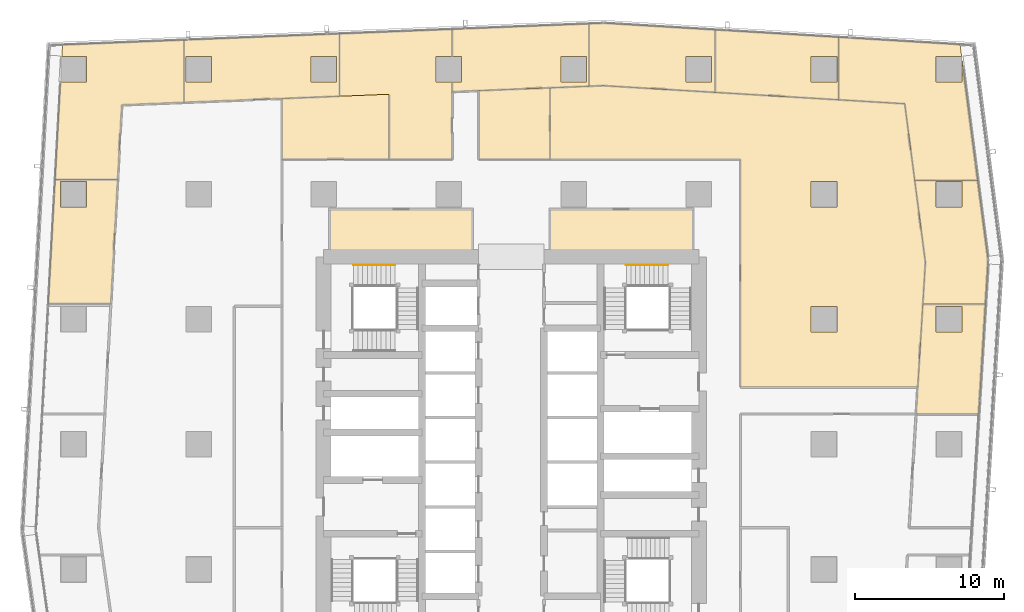
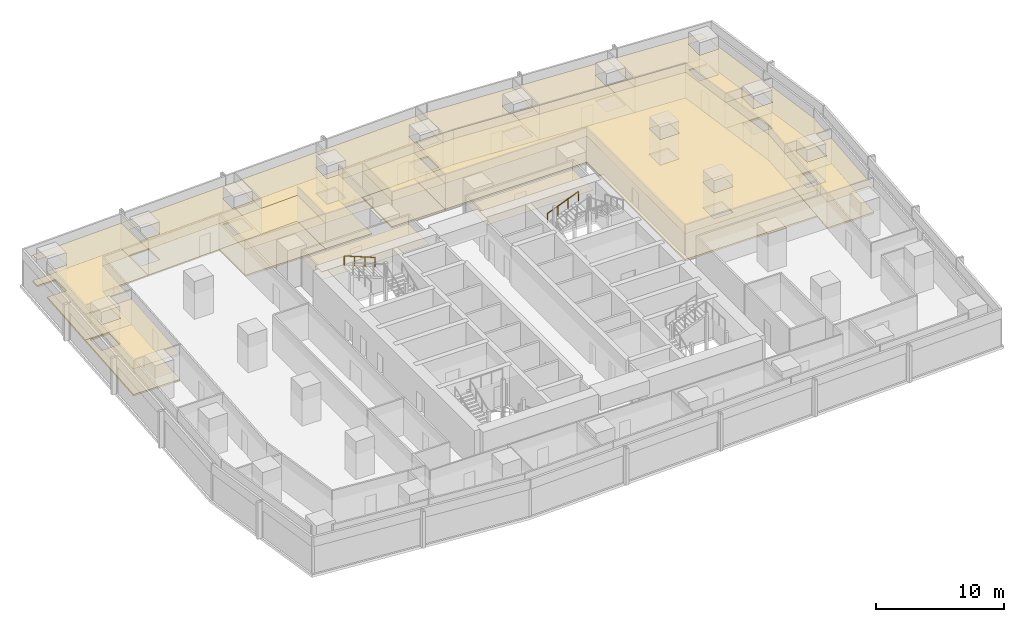
# One storey, part 40 of 40: 28 coverings, 2 railings.
"""IFC4 building model written with IfcOpenShell, lengths in metres."""

from ifc_helpers import new_model, si_unit, direction, frame, origin, origin_2d, place, context, subcontext, project, spatial, polyline, circle, outline, extrude, material, layer, layer_set, type_object, element, save


model = new_model("IFC4")

# Units and contexts
model_context = context("Model", 3, precision=1e-05, world=origin(), true_north=direction((0.0, 1.0)))
body_context = subcontext(model_context, "Body", "Model", "MODEL_VIEW")
ifc_project = project(units=[si_unit("LENGTHUNIT", "METRE"), si_unit("AREAUNIT", "SQUARE_METRE"), si_unit("VOLUMEUNIT", "CUBIC_METRE"), si_unit("PLANEANGLEUNIT", "RADIAN"), si_unit("MASSUNIT", "GRAM", prefix="KILO")], contexts=[model_context])

# Site, building, storey
site_placement = place(None, origin())
site = spatial("IfcSite", under=ifc_project, at=site_placement, CompositionType="ELEMENT")
building_placement = place(site_placement, origin())
building = spatial("IfcBuilding", under=site, at=building_placement, Name="Rekha Terrace Tower", CompositionType="ELEMENT")
storey_placement = place(building_placement, frame((0.0, 0.0, 121.550048828125)))
storey = spatial("IfcBuildingStorey", under=building, at=storey_placement, Name="L30", CompositionType="ELEMENT", Elevation=121.550048828125)

# Coverings
ifc_material_1 = material(Name="Mineral fibre tile in exposed grid", Category="finish")
ifc_layer_1 = layer(ifc_material_1, 0.02001953125)
ifc_layer_set_1 = layer_set([ifc_layer_1], Name="Mineral fibre tile in exposed grid")
covering_type_1 = type_object("IfcCoveringType", Name="CL1 600x1200 office grid ceiling", PredefinedType="CEILING", material=ifc_layer_set_1)
covering_1_placement = place(storey_placement, frame((0.0, 0.0, 2.579833984375)))
element("IfcCovering", 1, at=covering_1_placement, inside=storey, type_object=covering_type_1, Name="Ceiling L30-03", PredefinedType="CEILING", context=body_context, shape_type="SweptSolid", body=[
    extrude(outline(polyline([(69.655029296875, 43.011962890625), (65.447021484375, 43.011962890625), (65.06396484375, 36.760009765625), (64.9951171875, 35.634033203125), (69.202880859375, 35.634033203125), (69.655029296875, 43.011962890625)]), holes=[polyline([(68.06494140625, 41.135009765625), (66.3349609375, 41.135009765625), (66.3349609375, 42.864990234375), (68.06494140625, 42.864990234375), (68.06494140625, 41.135009765625)])]), origin(), (0.0, 0.0, 1.0), 0.02001953125),
])
covering_2_placement = place(storey_placement, frame((0.0, 0.0, 2.579833984375)))
element("IfcCovering", 2, at=covering_2_placement, inside=storey, type_object=covering_type_1, Name="Ceiling L30-04", PredefinedType="CEILING", context=body_context, shape_type="SweptSolid", body=[
    extrude(outline(polyline([(69.8359375, 45.971923828125), (69.136962890625, 51.337890625), (64.902099609375, 51.337890625), (65.618896484375, 45.827880859375), (65.447021484375, 43.012939453125), (69.655029296875, 43.012939453125), (69.8359375, 45.971923828125)]), holes=[polyline([(68.06494140625, 49.534912109375), (66.3349609375, 49.534912109375), (66.3349609375, 51.264892578125), (68.06494140625, 51.264892578125), (68.06494140625, 49.534912109375)])]), origin(), (0.0, 0.0, 1.0), 0.02001953125),
])
covering_3_placement = place(storey_placement, frame((0.0, 0.0, 2.579833984375)))
element("IfcCovering", 3, at=covering_3_placement, inside=storey, type_object=covering_type_1, Name="Ceiling L30-05", PredefinedType="CEILING", context=body_context, shape_type="SweptSolid", body=[
    extrude(outline(polyline([(67.948974609375, 60.462890625), (59.7880859375, 60.952880859375), (59.7880859375, 56.74609375), (64.23193359375, 56.47900390625), (64.902099609375, 51.339111328125), (69.136962890625, 51.339111328125), (68.0849609375, 59.416015625), (68.06494140625, 59.4150390625), (68.06494140625, 57.93505859375), (66.3349609375, 57.93505859375), (66.3349609375, 59.6650390625), (68.052978515625, 59.6650390625), (67.948974609375, 60.462890625)])), origin(), (0.0, 0.0, 1.0), 0.02001953125),
])
covering_4_placement = place(storey_placement, frame((0.0, 0.0, 2.579833984375)))
element("IfcCovering", 4, at=covering_4_placement, inside=storey, type_object=covering_type_1, Name="Ceiling L30-06", PredefinedType="CEILING", context=body_context, shape_type="SweptSolid", body=[
    extrude(outline(polyline([(59.787109375, 56.74609375), (59.787109375, 60.9541015625), (51.4951171875, 61.451904296875), (51.4951171875, 57.243896484375), (59.787109375, 56.74609375)]), holes=[polyline([(59.6650390625, 57.93505859375), (57.93505859375, 57.93505859375), (57.93505859375, 59.6650390625), (59.6650390625, 59.6650390625), (59.6650390625, 57.93505859375)])]), origin(), (0.0, 0.0, 1.0), 0.02001953125),
])
covering_5_placement = place(storey_placement, frame((0.0, 0.0, 2.579833984375)))
element("IfcCovering", 5, at=covering_5_placement, inside=storey, type_object=covering_type_1, Name="Ceiling L30-07", PredefinedType="CEILING", context=body_context, shape_type="SweptSolid", body=[
    extrude(outline(polyline([(44.0380859375, 61.89990234375), (43.02392578125, 61.85888671875), (43.02392578125, 57.656005859375), (43.99609375, 57.695068359375), (51.493896484375, 57.243896484375), (51.493896484375, 61.451904296875), (44.0380859375, 61.89990234375)]), holes=[polyline([(51.264892578125, 57.93505859375), (49.534912109375, 57.93505859375), (49.534912109375, 59.6650390625), (51.264892578125, 59.6650390625), (51.264892578125, 57.93505859375)])]), origin(), (0.0, 0.0, 1.0), 0.02001953125),
])
covering_6_placement = place(storey_placement, frame((0.0, 0.0, 2.579833984375)))
element("IfcCovering", 6, at=covering_6_placement, inside=storey, type_object=covering_type_1, Name="Ceiling L30-08", PredefinedType="CEILING", context=body_context, shape_type="SweptSolid", body=[
    extrude(outline(polyline([(33.827880859375, 57.93505859375), (33.827880859375, 57.287109375), (35.56689453125, 57.35693359375), (35.6259765625, 57.360107421875), (43.02294921875, 57.656005859375), (43.02294921875, 61.85888671875), (33.827880859375, 61.490966796875), (33.827880859375, 59.6650390625), (34.465087890625, 59.6650390625), (34.465087890625, 57.93505859375), (33.827880859375, 57.93505859375)]), holes=[polyline([(42.864990234375, 57.93505859375), (41.135009765625, 57.93505859375), (41.135009765625, 59.6650390625), (42.864990234375, 59.6650390625), (42.864990234375, 57.93505859375)])]), origin(), (0.0, 0.0, 1.0), 0.02001953125),
])
covering_7_placement = place(storey_placement, frame((0.0, 0.0, 2.579833984375)))
element("IfcCovering", 7, at=covering_7_placement, inside=storey, type_object=covering_type_1, Name="Ceiling L30-10", PredefinedType="CEILING", context=body_context, shape_type="SweptSolid", body=[
    extrude(outline(polyline([(26.257080078125, 56.98388671875), (26.257080078125, 61.18701171875), (15.81494140625, 60.76904296875), (15.81494140625, 56.56591796875), (26.257080078125, 56.98388671875)]), holes=[polyline([(26.06494140625, 57.93505859375), (24.3349609375, 57.93505859375), (24.3349609375, 59.6650390625), (26.06494140625, 59.6650390625), (26.06494140625, 57.93505859375)]), polyline([(17.6650390625, 57.93505859375), (15.93505859375, 57.93505859375), (15.93505859375, 59.6650390625), (17.6650390625, 59.6650390625), (17.6650390625, 57.93505859375)])]), origin(), (0.0, 0.0, 1.0), 0.02001953125),
])
covering_8_placement = place(storey_placement, frame((0.0, 0.0, 2.579833984375)))
element("IfcCovering", 8, at=covering_8_placement, inside=storey, type_object=covering_type_1, Name="Ceiling L30-11", PredefinedType="CEILING", context=body_context, shape_type="SweptSolid", body=[
    extrude(outline(polyline([(7.51611328125, 57.93505859375), (7.156005859375, 51.37890625), (11.362060546875, 51.37890625), (11.637939453125, 56.39794921875), (15.81396484375, 56.56591796875), (15.81396484375, 60.76904296875), (7.653076171875, 60.44189453125), (7.610107421875, 59.6650390625), (9.264892578125, 59.6650390625), (9.264892578125, 57.93505859375), (7.51611328125, 57.93505859375)])), origin(), (0.0, 0.0, 1.0), 0.02001953125),
])
covering_9_placement = place(storey_placement, frame((0.0, 0.0, 2.579833984375)))
element("IfcCovering", 9, at=covering_9_placement, inside=storey, type_object=covering_type_1, Name="Ceiling L30-12", PredefinedType="CEILING", context=body_context, shape_type="SweptSolid", body=[
    extrude(outline(polyline([(11.362060546875, 51.3779296875), (7.156005859375, 51.3779296875), (6.698974609375, 43.0458984375), (10.905029296875, 43.0458984375), (11.362060546875, 51.3779296875)]), holes=[polyline([(9.264892578125, 51.264892578125), (9.264892578125, 49.534912109375), (7.534912109375, 49.534912109375), (7.534912109375, 51.264892578125), (9.264892578125, 51.264892578125)])]), origin(), (0.0, 0.0, 1.0), 0.02001953125),
])
covering_10_placement = place(storey_placement, frame((0.0, 0.0, 2.579833984375)))
element("IfcCovering", 10, at=covering_10_placement, inside=storey, type_object=covering_type_1, Name="Ceiling L30-13", PredefinedType="CEILING", context=body_context, shape_type="SweptSolid", body=[
    extrude(outline(polyline([(22.39990234375, 52.75), (29.60009765625, 52.75), (29.60009765625, 57.117919921875), (25.967041015625, 56.971923828125), (22.39990234375, 56.830078125), (22.39990234375, 52.75)])), origin(), (0.0, 0.0, 1.0), 0.02001953125),
])
covering_11_placement = place(storey_placement, frame((0.0, 0.0, 2.579833984375)))
element("IfcCovering", 11, at=covering_11_placement, inside=storey, type_object=covering_type_1, Name="Ceiling L30-14", PredefinedType="CEILING", context=body_context, shape_type="SweptSolid", body=[
    extrude(outline(polyline([(29.60009765625, 52.75), (33.825927734375, 52.75), (33.825927734375, 57.287109375), (33.826904296875, 57.287109375), (33.826904296875, 57.93505859375), (32.735107421875, 57.93505859375), (32.735107421875, 59.6650390625), (33.826904296875, 59.6650390625), (33.826904296875, 61.490966796875), (26.258056640625, 61.18798828125), (26.258056640625, 56.98388671875), (29.60009765625, 57.117919921875), (29.60009765625, 52.75)])), origin(), (0.0, 0.0, 1.0), 0.02001953125),
])
covering_12_placement = place(storey_placement, frame((0.0, 0.0, 2.579833984375)))
element("IfcCovering", 12, at=covering_12_placement, inside=storey, type_object=covering_type_1, Name="Ceiling L30-15", PredefinedType="CEILING", context=body_context, shape_type="SweptSolid", body=[
    extrude(outline(polyline([(40.39990234375, 52.75), (40.39990234375, 57.551025390625), (35.6259765625, 57.360107421875), (35.6259765625, 52.75), (40.39990234375, 52.75)])), origin(), (0.0, 0.0, 1.0), 0.02001953125),
])
covering_13_placement = place(storey_placement, frame((0.0, 0.0, 2.579833984375)))
element("IfcCovering", 13, at=covering_13_placement, inside=storey, type_object=covering_type_1, Name="Ceiling L30-O1", PredefinedType="CEILING", context=body_context, shape_type="SweptSolid", body=[
    extrude(outline(polyline([(43.99609375, 57.695068359375), (43.02392578125, 57.656005859375), (40.39990234375, 57.551025390625), (40.39990234375, 52.75), (53.199951171875, 52.75), (53.199951171875, 37.43701171875), (65.10498046875, 37.43701171875), (65.447021484375, 43.012939453125), (65.618896484375, 45.827880859375), (64.89990234375, 51.35498046875), (64.23193359375, 56.47900390625), (59.787109375, 56.74609375), (51.493896484375, 57.243896484375), (43.99609375, 57.695068359375)]), holes=[polyline([(59.6650390625, 41.135009765625), (57.93505859375, 41.135009765625), (57.93505859375, 42.864990234375), (59.6650390625, 42.864990234375), (59.6650390625, 41.135009765625)]), polyline([(59.6650390625, 49.534912109375), (57.93505859375, 49.534912109375), (57.93505859375, 51.264892578125), (59.6650390625, 51.264892578125), (59.6650390625, 49.534912109375)])]), origin(), (0.0, 0.0, 1.0), 0.02001953125),
])
ifc_material_2 = material(Name="Fibre cement board", Category="finish")
ifc_layer_2 = layer(ifc_material_2, 0.014892578125)
ifc_layer_set_2 = layer_set([ifc_layer_2], Name="Fibre cement board")
covering_type_2 = type_object("IfcCoveringType", Name="CL2 moisture-resistant board ceiling", PredefinedType="CEILING", material=ifc_layer_set_2)
covering_14_placement = place(storey_placement, frame((0.0, 0.0, 2.5849609375)))
element("IfcCovering", 14, at=covering_14_placement, inside=storey, type_object=covering_type_2, Name="Ceiling L30-WCF", PredefinedType="CEILING", context=body_context, shape_type="SweptSolid", body=[
    extrude(outline(polyline([(50.0, 49.39990234375), (40.39990234375, 49.39990234375), (40.39990234375, 46.199951171875), (50.0, 46.199951171875), (50.0, 49.39990234375)])), origin(), (0.0, 0.0, 1.0), 0.014892578125),
])
covering_15_placement = place(storey_placement, frame((0.0, 0.0, 2.5849609375)))
element("IfcCovering", 15, at=covering_15_placement, inside=storey, type_object=covering_type_2, Name="Ceiling L30-WCF2", PredefinedType="CEILING", context=body_context, shape_type="SweptSolid", body=[
    extrude(outline(polyline([(35.199951171875, 49.39990234375), (25.60009765625, 49.39990234375), (25.60009765625, 46.199951171875), (35.199951171875, 46.199951171875), (35.199951171875, 49.39990234375)])), origin(), (0.0, 0.0, 1.0), 0.014892578125),
])

# Railings
ifc_material_3 = material(Name="Stainless steel tube", Category="steel")
railing_type = type_object("IfcRailingType", Name="HR1 900 stair handrail", PredefinedType="HANDRAIL", material=ifc_material_3)
railing_1_placement = place(storey_placement, frame((45.52490234375, 45.639892578125, 1.375)))
element("IfcRailing", 16, at=railing_1_placement, inside=storey, type_object=railing_type, Name="Handrail ST2 L30 flight 2", PredefinedType="HANDRAIL", context=body_context, shape_type="SweptSolid", body=[
    extrude(circle(Radius=0.02392578125, at=origin_2d()), frame((0.0, 0.0, 0.8759765625), z_axis=(0.927443287984, 0.0, 0.373963831907), x_axis=(0.0, 1.0, 0.0)), (0.0, 0.0, 1.0), 3.00830078125),
    extrude(circle(Radius=0.02099609375, at=origin_2d()), origin(), (0.0, 0.0, 1.0), 0.851806640625),
    extrude(circle(Radius=0.02099609375, at=origin_2d()), frame((0.929931640625, 0.0, 0.375)), (0.0, 0.0, 1.0), 0.851806640625),
    extrude(circle(Radius=0.02099609375, at=origin_2d()), frame((1.860107421875, 0.0, 0.75)), (0.0, 0.0, 1.0), 0.851806640625),
    extrude(circle(Radius=0.02099609375, at=origin_2d()), frame((2.7900390625, 0.0, 1.125)), (0.0, 0.0, 1.0), 0.851806640625),
])
railing_2_placement = place(storey_placement, frame((29.989990234375, 45.639892578125, 2.625)))
element("IfcRailing", 17, at=railing_2_placement, inside=storey, type_object=railing_type, Name="Handrail ST4 L30 flight 3", PredefinedType="HANDRAIL", context=body_context, shape_type="SweptSolid", body=[
    extrude(circle(Radius=0.02392578125, at=origin_2d()), frame((0.0, 0.0, 0.8759765625), z_axis=(-0.927443287984, 0.0, 0.373963831907), x_axis=(0.0, -1.0, 0.0)), (0.0, 0.0, 1.0), 3.00830078125),
    extrude(circle(Radius=0.02099609375, at=origin_2d()), origin(), (0.0, 0.0, 1.0), 0.851806640625),
    extrude(circle(Radius=0.02099609375, at=origin_2d()), frame((-0.929931640625, 0.0, 0.375)), (0.0, 0.0, 1.0), 0.851806640625),
    extrude(circle(Radius=0.02099609375, at=origin_2d()), frame((-1.860107421875, 0.0, 0.75)), (0.0, 0.0, 1.0), 0.851806640625),
    extrude(circle(Radius=0.02099609375, at=origin_2d()), frame((-2.7900390625, 0.0, 1.125)), (0.0, 0.0, 1.0), 0.851806640625),
])

# Coverings
ifc_material_4 = material(Name="Calcium sulphate panels on steel pedestals", Category="steel")
ifc_layer_3 = layer(ifc_material_4, 0.14990234375)
ifc_layer_set_3 = layer_set([ifc_layer_3], Name="Calcium sulphate panels on steel pedestals")
covering_type_3 = type_object("IfcCoveringType", Name="RF1 150 raised access floor", PredefinedType="FLOORING", material=ifc_layer_set_3)
covering_16_placement = place(storey_placement, origin())
element("IfcCovering", 18, at=covering_16_placement, inside=storey, type_object=covering_type_3, Name="Raised floor L30-03", PredefinedType="FLOORING", context=body_context, shape_type="SweptSolid", body=[
    extrude(outline(polyline([(69.655029296875, 43.011962890625), (65.447021484375, 43.011962890625), (65.06396484375, 36.760009765625), (64.9951171875, 35.634033203125), (69.202880859375, 35.634033203125), (69.655029296875, 43.011962890625)]), holes=[polyline([(68.06494140625, 41.135009765625), (66.3349609375, 41.135009765625), (66.3349609375, 42.864990234375), (68.06494140625, 42.864990234375), (68.06494140625, 41.135009765625)])]), origin(), (0.0, 0.0, 1.0), 0.14990234375),
])
covering_17_placement = place(storey_placement, origin())
element("IfcCovering", 19, at=covering_17_placement, inside=storey, type_object=covering_type_3, Name="Raised floor L30-04", PredefinedType="FLOORING", context=body_context, shape_type="SweptSolid", body=[
    extrude(outline(polyline([(69.8359375, 45.971923828125), (69.136962890625, 51.337890625), (64.902099609375, 51.337890625), (65.618896484375, 45.827880859375), (65.447021484375, 43.012939453125), (69.655029296875, 43.012939453125), (69.8359375, 45.971923828125)]), holes=[polyline([(68.06494140625, 49.534912109375), (66.3349609375, 49.534912109375), (66.3349609375, 51.264892578125), (68.06494140625, 51.264892578125), (68.06494140625, 49.534912109375)])]), origin(), (0.0, 0.0, 1.0), 0.14990234375),
])
covering_18_placement = place(storey_placement, origin())
element("IfcCovering", 20, at=covering_18_placement, inside=storey, type_object=covering_type_3, Name="Raised floor L30-05", PredefinedType="FLOORING", context=body_context, shape_type="SweptSolid", body=[
    extrude(outline(polyline([(67.948974609375, 60.462890625), (59.7880859375, 60.952880859375), (59.7880859375, 56.74609375), (64.23193359375, 56.47900390625), (64.902099609375, 51.339111328125), (69.136962890625, 51.339111328125), (68.0849609375, 59.416015625), (68.06494140625, 59.4150390625), (68.06494140625, 57.93505859375), (66.3349609375, 57.93505859375), (66.3349609375, 59.6650390625), (68.052978515625, 59.6650390625), (67.948974609375, 60.462890625)])), origin(), (0.0, 0.0, 1.0), 0.14990234375),
])
covering_19_placement = place(storey_placement, origin())
element("IfcCovering", 21, at=covering_19_placement, inside=storey, type_object=covering_type_3, Name="Raised floor L30-06", PredefinedType="FLOORING", context=body_context, shape_type="SweptSolid", body=[
    extrude(outline(polyline([(59.787109375, 56.74609375), (59.787109375, 60.9541015625), (51.4951171875, 61.451904296875), (51.4951171875, 57.243896484375), (59.787109375, 56.74609375)]), holes=[polyline([(59.6650390625, 57.93505859375), (57.93505859375, 57.93505859375), (57.93505859375, 59.6650390625), (59.6650390625, 59.6650390625), (59.6650390625, 57.93505859375)])]), origin(), (0.0, 0.0, 1.0), 0.14990234375),
])
covering_20_placement = place(storey_placement, origin())
element("IfcCovering", 22, at=covering_20_placement, inside=storey, type_object=covering_type_3, Name="Raised floor L30-07", PredefinedType="FLOORING", context=body_context, shape_type="SweptSolid", body=[
    extrude(outline(polyline([(44.0380859375, 61.89990234375), (43.02392578125, 61.85888671875), (43.02392578125, 57.656005859375), (43.99609375, 57.695068359375), (51.493896484375, 57.243896484375), (51.493896484375, 61.451904296875), (44.0380859375, 61.89990234375)]), holes=[polyline([(51.264892578125, 57.93505859375), (49.534912109375, 57.93505859375), (49.534912109375, 59.6650390625), (51.264892578125, 59.6650390625), (51.264892578125, 57.93505859375)])]), origin(), (0.0, 0.0, 1.0), 0.14990234375),
])
covering_21_placement = place(storey_placement, origin())
element("IfcCovering", 23, at=covering_21_placement, inside=storey, type_object=covering_type_3, Name="Raised floor L30-08", PredefinedType="FLOORING", context=body_context, shape_type="SweptSolid", body=[
    extrude(outline(polyline([(33.827880859375, 57.93505859375), (33.827880859375, 57.287109375), (35.56689453125, 57.35693359375), (35.6259765625, 57.360107421875), (43.02294921875, 57.656005859375), (43.02294921875, 61.85888671875), (33.827880859375, 61.490966796875), (33.827880859375, 59.6650390625), (34.465087890625, 59.6650390625), (34.465087890625, 57.93505859375), (33.827880859375, 57.93505859375)]), holes=[polyline([(42.864990234375, 57.93505859375), (41.135009765625, 57.93505859375), (41.135009765625, 59.6650390625), (42.864990234375, 59.6650390625), (42.864990234375, 57.93505859375)])]), origin(), (0.0, 0.0, 1.0), 0.14990234375),
])
covering_22_placement = place(storey_placement, origin())
element("IfcCovering", 24, at=covering_22_placement, inside=storey, type_object=covering_type_3, Name="Raised floor L30-10", PredefinedType="FLOORING", context=body_context, shape_type="SweptSolid", body=[
    extrude(outline(polyline([(26.257080078125, 56.98388671875), (26.257080078125, 61.18701171875), (15.81494140625, 60.76904296875), (15.81494140625, 56.56591796875), (26.257080078125, 56.98388671875)]), holes=[polyline([(26.06494140625, 57.93505859375), (24.3349609375, 57.93505859375), (24.3349609375, 59.6650390625), (26.06494140625, 59.6650390625), (26.06494140625, 57.93505859375)]), polyline([(17.6650390625, 57.93505859375), (15.93505859375, 57.93505859375), (15.93505859375, 59.6650390625), (17.6650390625, 59.6650390625), (17.6650390625, 57.93505859375)])]), origin(), (0.0, 0.0, 1.0), 0.14990234375),
])
covering_23_placement = place(storey_placement, origin())
element("IfcCovering", 25, at=covering_23_placement, inside=storey, type_object=covering_type_3, Name="Raised floor L30-11", PredefinedType="FLOORING", context=body_context, shape_type="SweptSolid", body=[
    extrude(outline(polyline([(7.51611328125, 57.93505859375), (7.156005859375, 51.37890625), (11.362060546875, 51.37890625), (11.637939453125, 56.39794921875), (15.81396484375, 56.56591796875), (15.81396484375, 60.76904296875), (7.653076171875, 60.44189453125), (7.610107421875, 59.6650390625), (9.264892578125, 59.6650390625), (9.264892578125, 57.93505859375), (7.51611328125, 57.93505859375)])), origin(), (0.0, 0.0, 1.0), 0.14990234375),
])
covering_24_placement = place(storey_placement, origin())
element("IfcCovering", 26, at=covering_24_placement, inside=storey, type_object=covering_type_3, Name="Raised floor L30-12", PredefinedType="FLOORING", context=body_context, shape_type="SweptSolid", body=[
    extrude(outline(polyline([(11.362060546875, 51.3779296875), (7.156005859375, 51.3779296875), (6.698974609375, 43.0458984375), (10.905029296875, 43.0458984375), (11.362060546875, 51.3779296875)]), holes=[polyline([(9.264892578125, 51.264892578125), (9.264892578125, 49.534912109375), (7.534912109375, 49.534912109375), (7.534912109375, 51.264892578125), (9.264892578125, 51.264892578125)])]), origin(), (0.0, 0.0, 1.0), 0.14990234375),
])
covering_25_placement = place(storey_placement, origin())
element("IfcCovering", 27, at=covering_25_placement, inside=storey, type_object=covering_type_3, Name="Raised floor L30-13", PredefinedType="FLOORING", context=body_context, shape_type="SweptSolid", body=[
    extrude(outline(polyline([(22.39990234375, 52.75), (29.60009765625, 52.75), (29.60009765625, 57.117919921875), (25.967041015625, 56.971923828125), (22.39990234375, 56.830078125), (22.39990234375, 52.75)])), origin(), (0.0, 0.0, 1.0), 0.14990234375),
])
covering_26_placement = place(storey_placement, origin())
element("IfcCovering", 28, at=covering_26_placement, inside=storey, type_object=covering_type_3, Name="Raised floor L30-14", PredefinedType="FLOORING", context=body_context, shape_type="SweptSolid", body=[
    extrude(outline(polyline([(29.60009765625, 52.75), (33.825927734375, 52.75), (33.825927734375, 57.287109375), (33.826904296875, 57.287109375), (33.826904296875, 57.93505859375), (32.735107421875, 57.93505859375), (32.735107421875, 59.6650390625), (33.826904296875, 59.6650390625), (33.826904296875, 61.490966796875), (26.258056640625, 61.18798828125), (26.258056640625, 56.98388671875), (29.60009765625, 57.117919921875), (29.60009765625, 52.75)])), origin(), (0.0, 0.0, 1.0), 0.14990234375),
])
covering_27_placement = place(storey_placement, origin())
element("IfcCovering", 29, at=covering_27_placement, inside=storey, type_object=covering_type_3, Name="Raised floor L30-15", PredefinedType="FLOORING", context=body_context, shape_type="SweptSolid", body=[
    extrude(outline(polyline([(40.39990234375, 52.75), (40.39990234375, 57.551025390625), (35.6259765625, 57.360107421875), (35.6259765625, 52.75), (40.39990234375, 52.75)])), origin(), (0.0, 0.0, 1.0), 0.14990234375),
])
covering_28_placement = place(storey_placement, origin())
element("IfcCovering", 30, at=covering_28_placement, inside=storey, type_object=covering_type_3, Name="Raised floor L30-O1", PredefinedType="FLOORING", context=body_context, shape_type="SweptSolid", body=[
    extrude(outline(polyline([(43.99609375, 57.695068359375), (43.02392578125, 57.656005859375), (40.39990234375, 57.551025390625), (40.39990234375, 52.75), (53.199951171875, 52.75), (53.199951171875, 37.43701171875), (65.10498046875, 37.43701171875), (65.447021484375, 43.012939453125), (65.618896484375, 45.827880859375), (64.89990234375, 51.35498046875), (64.23193359375, 56.47900390625), (59.787109375, 56.74609375), (51.493896484375, 57.243896484375), (43.99609375, 57.695068359375)]), holes=[polyline([(59.6650390625, 41.135009765625), (57.93505859375, 41.135009765625), (57.93505859375, 42.864990234375), (59.6650390625, 42.864990234375), (59.6650390625, 41.135009765625)]), polyline([(59.6650390625, 49.534912109375), (57.93505859375, 49.534912109375), (57.93505859375, 51.264892578125), (59.6650390625, 51.264892578125), (59.6650390625, 49.534912109375)])]), origin(), (0.0, 0.0, 1.0), 0.14990234375),
])

save(model, "model.ifc")
